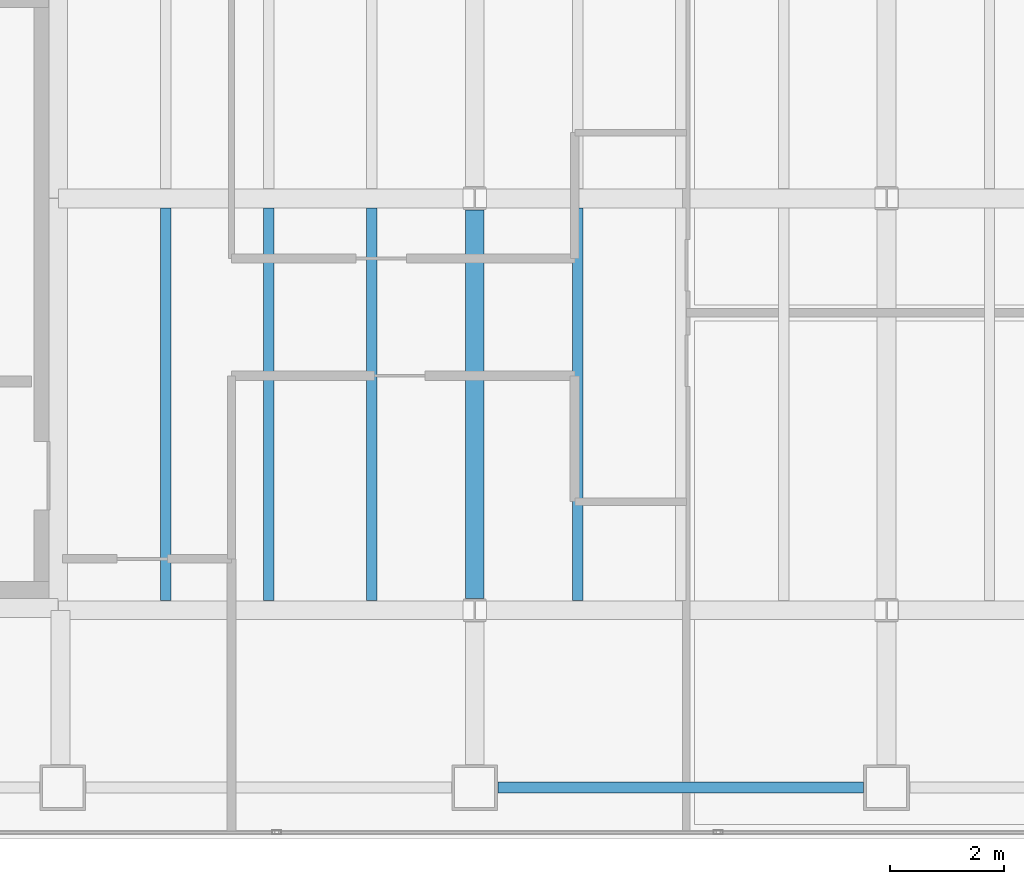
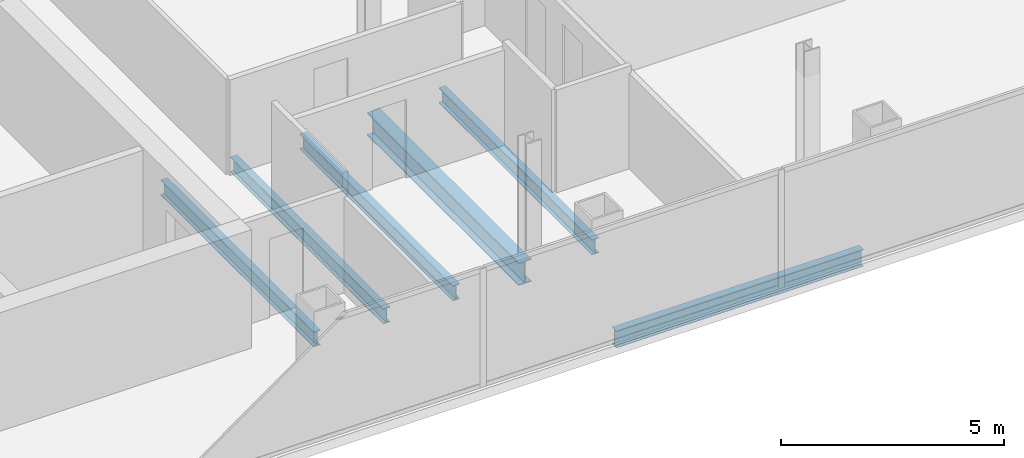
# One storey, part 5 of 23: 6 beams.
"""IFC4 building model written with IfcOpenShell, lengths in metres."""

from ifc_helpers import new_model, si_unit, direction, frame, origin, origin_2d, place, context, subcontext, project, spatial, i_section, extrude, material, material_profile, profile_set, type_object, element, save


model = new_model("IFC4")

# Units and contexts
model_context = context("Model", 3, precision=1e-05, world=origin(), true_north=direction((0.0, 1.0)))
body_context = subcontext(model_context, "Body", "Model", "MODEL_VIEW")
ifc_project = project(units=[si_unit("LENGTHUNIT", "METRE"), si_unit("AREAUNIT", "SQUARE_METRE"), si_unit("VOLUMEUNIT", "CUBIC_METRE"), si_unit("PLANEANGLEUNIT", "RADIAN"), si_unit("MASSUNIT", "GRAM", prefix="KILO")], contexts=[model_context])

# Site, building, storey
site_placement = place(None, origin())
site = spatial("IfcSite", under=ifc_project, at=site_placement, CompositionType="ELEMENT")
building_placement = place(site_placement, origin())
building = spatial("IfcBuilding", under=site, at=building_placement, Name="Cobrela Telecom Tower", CompositionType="ELEMENT")
storey_placement = place(building_placement, frame((0.0, 0.0, 197.75)))
storey = spatial("IfcBuildingStorey", under=building, at=storey_placement, Name="L50", CompositionType="ELEMENT", Elevation=197.75)

# Beams
ifc_material = material(Name="Steel ASTM A992 Grade 50", Category="steel")
ifc_material_profile_1 = material_profile(ifc_material, i_section(OverallWidth=0.327880859375, OverallDepth=0.6220703125, WebThickness=0.015380859375, FlangeThickness=0.0244140625, FilletRadius=0.014892578125, at=origin_2d()), Name="W24X131")
ifc_profile_set_1 = profile_set([ifc_material_profile_1], Name="Steel ASTM A992 Grade 50")
beam_type_1 = type_object("IfcBeamType", Name="BM-GIRD-06", PredefinedType="USERDEFINED", material=ifc_profile_set_1)
beam_1_placement = place(storey_placement, frame((21.60009765625, 7.404541015625, -0.571044921875), z_axis=(0.0, 1.0, 0.0), x_axis=(-1.0, 0.0, 0.0)))
element("IfcBeam", 1, at=beam_1_placement, inside=storey, type_object=beam_type_1, Name="L50 Primary Girder Y33", ObjectType="GIRDER", PredefinedType="USERDEFINED", context=body_context, shape_type="SweptSolid", body=[
    extrude(i_section(OverallWidth=0.327880859375, OverallDepth=0.6220703125, WebThickness=0.015380859375, FlangeThickness=0.0244140625, FilletRadius=0.014892578125, at=origin_2d()), origin(), (0.0, 0.0, 1.0), 6.791015625),
])
ifc_material_profile_2 = material_profile(ifc_material, i_section(OverallWidth=0.179931640625, OverallDepth=0.4169921875, WebThickness=0.010986328125, FlangeThickness=0.01806640625, FilletRadius=0.011962890625, at=origin_2d()), Name="W16X57")
ifc_profile_set_2 = profile_set([ifc_material_profile_2], Name="Steel ASTM A992 Grade 50")
beam_type_2 = type_object("IfcBeamType", Name="BM-JOIST-04", PredefinedType="JOIST", material=ifc_profile_set_2)
for number, where, z_axis, x_axis, name in (
    (2, (16.199951171875, 7.368896484375, -0.468505859375), (0.0, 1.0, 0.0), (-1.0, 0.0, 0.0), "L50 Secondary Composite Floor Beam J01"),
    (3, (18.0, 7.368896484375, -0.468505859375), (0.0, 1.0, 0.0), (-1.0, 0.0, 0.0), "L50 Secondary Composite Floor Beam J05"),
    (4, (19.800048828125, 7.368896484375, -0.468505859375), (0.0, 1.0, 0.0), (-1.0, 0.0, 0.0), "L50 Secondary Composite Floor Beam J09"),
    (5, (23.39990234375, 7.368896484375, -0.468505859375), (0.0, 1.0, 0.0), (-1.0, 0.0, 0.0), "L50 Secondary Composite Floor Beam J13"),
):
    element("IfcBeam", number, at=place(storey_placement, frame(where, z_axis=z_axis, x_axis=x_axis)), inside=storey, type_object=beam_type_2, Name=name, PredefinedType="JOIST", context=body_context, shape_type="SweptSolid", body=[
        extrude(i_section(OverallWidth=0.179931640625, OverallDepth=0.4169921875, WebThickness=0.010986328125, FlangeThickness=0.01806640625, FilletRadius=0.011962890625, at=origin_2d()), origin(), (0.0, 0.0, 1.0), 6.862060546875),
    ])
ifc_material_profile_3 = material_profile(ifc_material, i_section(OverallWidth=0.193115234375, OverallDepth=0.467041015625, WebThickness=0.011474609375, FlangeThickness=0.01904296875, FilletRadius=0.012939453125, at=origin_2d()), Name="W18X65")
ifc_profile_set_3 = profile_set([ifc_material_profile_3], Name="Steel ASTM A992 Grade 50")
beam_type_3 = type_object("IfcBeamType", Name="BM-SPAND-05", PredefinedType="SPANDREL", material=ifc_profile_set_3)
beam_2_placement = place(storey_placement, frame((22.0048828125, 4.10009765625, -0.493408203125), z_axis=(1.0, 0.0, 0.0), x_axis=(0.0, 1.0, 0.0)))
element("IfcBeam", 6, at=beam_2_placement, inside=storey, type_object=beam_type_3, Name="L50 Perimeter Spandrel X03", PredefinedType="SPANDREL", context=body_context, shape_type="SweptSolid", body=[
    extrude(i_section(OverallWidth=0.193115234375, OverallDepth=0.467041015625, WebThickness=0.011474609375, FlangeThickness=0.01904296875, FilletRadius=0.012939453125, at=origin_2d()), origin(), (0.0, 0.0, 1.0), 6.39013671875),
])

save(model, "model.ifc")
